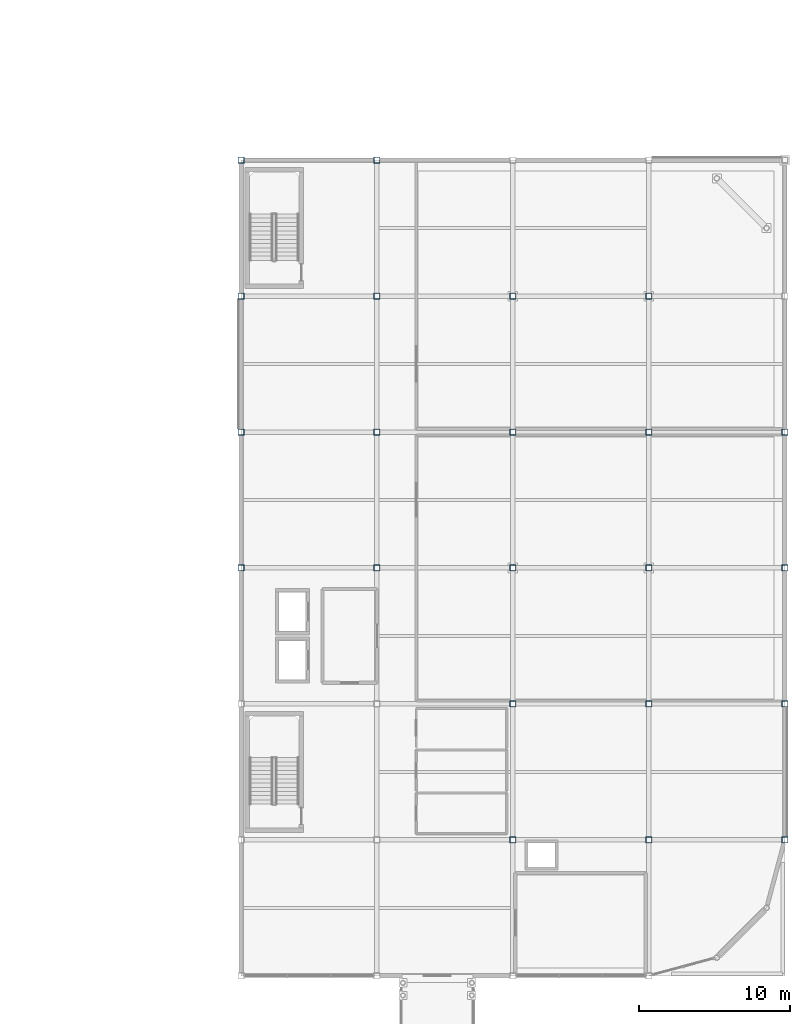
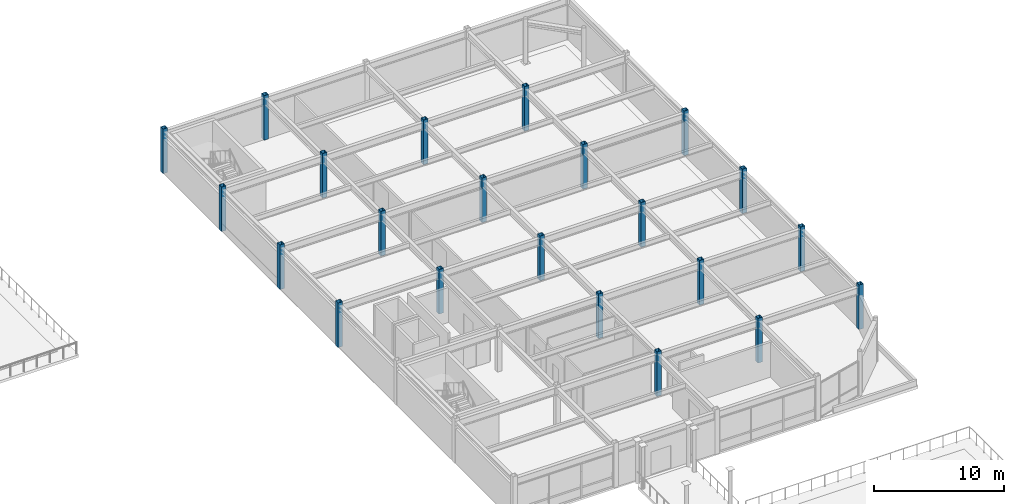
# One storey, part 13 of 53: 22 columns.
"""IFC4 building model written with IfcOpenShell, lengths in metres."""

from ifc_helpers import new_model, si_unit, direction, frame, origin, origin_2d, place, context, subcontext, project, spatial, hollow_rectangle, extrude, material, material_profile, profile_set, type_object, element, save


model = new_model("IFC4")

# Units and contexts
model_context = context("Model", 3, precision=1e-05, world=origin(), true_north=direction((0.0, 1.0)))
body_context = subcontext(model_context, "Body", "Model", "MODEL_VIEW")
ifc_project = project(units=[si_unit("LENGTHUNIT", "METRE"), si_unit("AREAUNIT", "SQUARE_METRE"), si_unit("VOLUMEUNIT", "CUBIC_METRE"), si_unit("PLANEANGLEUNIT", "RADIAN"), si_unit("MASSUNIT", "GRAM", prefix="KILO")], contexts=[model_context])

# Site, building, storey
site_placement = place(None, origin())
site = spatial("IfcSite", under=ifc_project, at=site_placement, CompositionType="ELEMENT")
building_placement = place(site_placement, origin())
building = spatial("IfcBuilding", under=site, at=building_placement, Name="Suzunagisa Mobility Hub", CompositionType="ELEMENT")
storey_placement = place(building_placement, frame((0.0, 0.0, 17.699951171875)))
storey = spatial("IfcBuildingStorey", under=building, at=storey_placement, Name="L04", CompositionType="ELEMENT", Elevation=17.699951171875)

# Columns
ifc_material = material(Name="Steel SN490B", Category="steel")
ifc_material_profile = material_profile(ifc_material, hollow_rectangle(XDim=0.39990234375, YDim=0.39990234375, WallThickness=0.01904296875, at=origin_2d()), Name="BCR-400x400x19")
ifc_profile_set = profile_set([ifc_material_profile], Name="Steel SN490B")
column_type = type_object("IfcColumnType", Name="Steel Column CL-13 BCR-400x400x19", PredefinedType="COLUMN", material=ifc_profile_set)
for number, where, z_axis, x_axis, name in (
    (1, (144.0, 71.0, 0.0), (0.0, 0.0, 1.0), (1.0, 0.0, 0.0), "L04 Column 259"),
    (2, (144.0, 80.0, 0.0), (0.0, 0.0, 1.0), (1.0, 0.0, 0.0), "L04 Column 260"),
    (3, (144.0, 89.0, 0.0), (0.0, 0.0, 1.0), (1.0, 0.0, 0.0), "L04 Column 261"),
    (4, (144.0, 98.0, 0.0), (0.0, 0.0, 1.0), (1.0, 0.0, 0.0), "L04 Column 262"),
    (5, (153.0, 71.0, 0.0), (0.0, 0.0, 1.0), (1.0, 0.0, 0.0), "L04 Column 272"),
    (6, (153.0, 80.0, 0.0), (0.0, 0.0, 1.0), (1.0, 0.0, 0.0), "L04 Column 273"),
    (7, (153.0, 89.0, 0.0), (0.0, 0.0, 1.0), (1.0, 0.0, 0.0), "L04 Column 274"),
    (8, (153.0, 98.0, 0.0), (0.0, 0.0, 1.0), (1.0, 0.0, 0.0), "L04 Column 275"),
    (9, (162.0, 53.0, 0.0), (0.0, 0.0, 1.0), (1.0, 0.0, 0.0), "L04 Column 289"),
    (10, (162.0, 62.0, 0.0), (0.0, 0.0, 1.0), (1.0, 0.0, 0.0), "L04 Column 290"),
    (11, (162.0, 71.0, 0.0), (0.0, 0.0, 1.0), (1.0, 0.0, 0.0), "L04 Column 291"),
    (12, (162.0, 80.0, 0.0), (0.0, 0.0, 1.0), (1.0, 0.0, 0.0), "L04 Column 292"),
    (13, (162.0, 89.0, 0.0), (0.0, 0.0, 1.0), (1.0, 0.0, 0.0), "L04 Column 293"),
    (14, (171.0, 53.0, 0.0), (0.0, 0.0, 1.0), (1.0, 0.0, 0.0), "L04 Column 302"),
    (15, (171.0, 62.0, 0.0), (0.0, 0.0, 1.0), (1.0, 0.0, 0.0), "L04 Column 303"),
    (16, (171.0, 71.0, 0.0), (0.0, 0.0, 1.0), (1.0, 0.0, 0.0), "L04 Column 304"),
    (17, (171.0, 80.0, 0.0), (0.0, 0.0, 1.0), (1.0, 0.0, 0.0), "L04 Column 305"),
    (18, (171.0, 89.0, 0.0), (0.0, 0.0, 1.0), (1.0, 0.0, 0.0), "L04 Column 306"),
    (19, (180.0, 53.0, 0.0), (0.0, 0.0, 1.0), (1.0, 0.0, 0.0), "L04 Column 326"),
    (20, (180.0, 62.0, 0.0), (0.0, 0.0, 1.0), (1.0, 0.0, 0.0), "L04 Column 327"),
    (21, (180.0, 71.0, 0.0), (0.0, 0.0, 1.0), (1.0, 0.0, 0.0), "L04 Column 328"),
    (22, (180.0, 80.0, 0.0), (0.0, 0.0, 1.0), (1.0, 0.0, 0.0), "L04 Column 329"),
):
    element("IfcColumn", number, at=place(storey_placement, frame(where, z_axis=z_axis, x_axis=x_axis)), inside=storey, type_object=column_type, Name=name, PredefinedType="COLUMN", context=body_context, shape_type="SweptSolid", body=[
        extrude(hollow_rectangle(XDim=0.39990234375, YDim=0.39990234375, WallThickness=0.01904296875, at=origin_2d()), origin(), (0.0, 0.0, 1.0), 4.199951171875),
    ])

save(model, "model.ifc")
